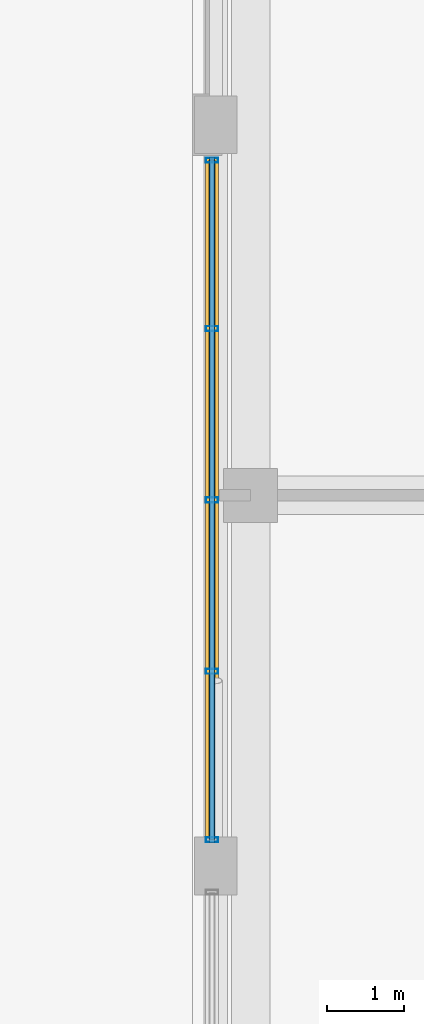
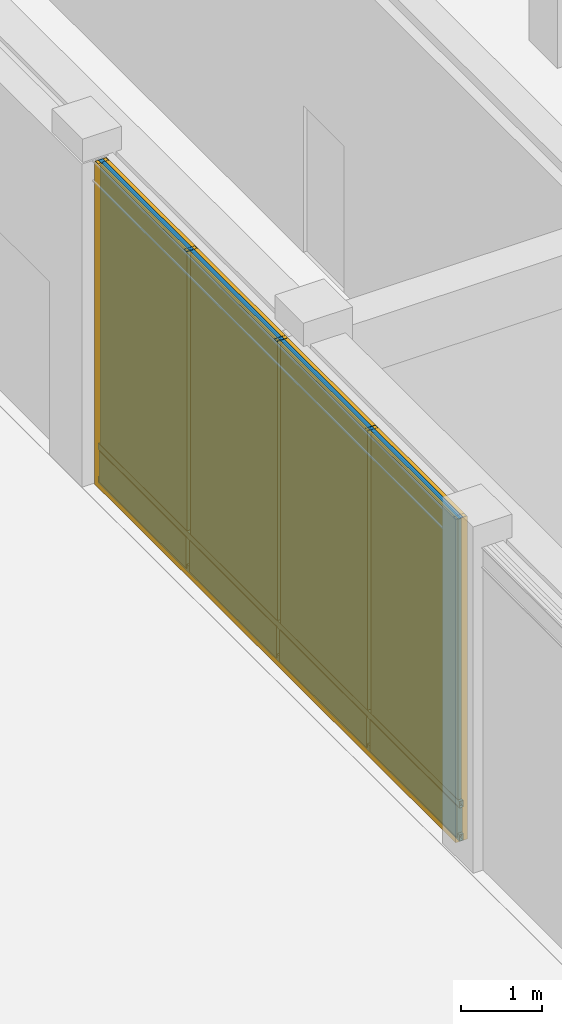
# One storey, part 13 of 24: 8 members, 8 plates, 1 curtain wall.
"""IFC4 building model written with IfcOpenShell, lengths in metres."""

from ifc_helpers import new_model, si_unit, direction, frame, frame_2d, origin, origin_2d, place, context, subcontext, project, spatial, rectangle, hollow_rectangle, extrude, material, layer, layer_set, material_profile, profile_set, type_object, element, aggregate, save


model = new_model("IFC4")

# Units and contexts
model_context = context("Model", 3, precision=1e-05, world=origin(), true_north=direction((0.0, 1.0)))
body_context = subcontext(model_context, "Body", "Model", "MODEL_VIEW")
ifc_project = project(units=[si_unit("LENGTHUNIT", "METRE"), si_unit("AREAUNIT", "SQUARE_METRE"), si_unit("VOLUMEUNIT", "CUBIC_METRE"), si_unit("PLANEANGLEUNIT", "RADIAN"), si_unit("MASSUNIT", "GRAM", prefix="KILO")], contexts=[model_context])

# Member
ifc_material_1 = material(Name="Anodized Aluminium 6063-T6", Category="aluminium")
ifc_material_profile_1 = material_profile(ifc_material_1, hollow_rectangle(XDim=0.06494140625, YDim=0.159912109375, WallThickness=0.00390625, at=origin_2d()), Name="Anodized Aluminium 6063-T6")
ifc_profile_set_1 = profile_set([ifc_material_profile_1], Name="Anodized Aluminium 6063-T6")
member_type_1 = type_object("IfcMemberType", Name="Curtain Wall Mullion 160", PredefinedType="MULLION", material=ifc_profile_set_1)
site_placement = place(None, origin())
building_placement = place(site_placement, origin())
storey_placement = place(building_placement, origin())
member_1_placement = place(storey_placement, frame((85.449951171875, 14.739990234375, 0.0), z_axis=(0.0, 0.0, 1.0), x_axis=(0.0, 1.0, 0.0)))
member_1 = element("IfcMember", 1, at=member_1_placement, type_object=member_type_1, Name="Curtain Wall Mullion CW-L00-LCOL-2-M01", PredefinedType="MULLION", context=body_context, shape_type="SweptSolid", body=[
    extrude(hollow_rectangle(XDim=0.06494140625, YDim=0.159912109375, WallThickness=0.00390625, at=origin_2d()), origin(), (0.0, 0.0, 1.0), 4.85009765625),
])

member_2_placement = place(storey_placement, frame((85.449951171875, 16.919921875, 0.0), z_axis=(0.0, 0.0, 1.0), x_axis=(0.0, 1.0, 0.0)))
member_2 = element("IfcMember", 2, at=member_2_placement, type_object=member_type_1, Name="Curtain Wall Mullion CW-L00-LCOL-2-M02", PredefinedType="MULLION", context=body_context, shape_type="SweptSolid", body=[
    extrude(hollow_rectangle(XDim=0.06494140625, YDim=0.159912109375, WallThickness=0.00390625, at=origin_2d()), origin(), (0.0, 0.0, 1.0), 4.85009765625),
])

member_3_placement = place(storey_placement, frame((85.449951171875, 19.139892578125, 0.0), z_axis=(0.0, 0.0, 1.0), x_axis=(0.0, 1.0, 0.0)))
member_3 = element("IfcMember", 3, at=member_3_placement, type_object=member_type_1, Name="Curtain Wall Mullion CW-L00-LCOL-2-M03", PredefinedType="MULLION", context=body_context, shape_type="SweptSolid", body=[
    extrude(hollow_rectangle(XDim=0.06494140625, YDim=0.159912109375, WallThickness=0.00390625, at=origin_2d()), origin(), (0.0, 0.0, 1.0), 4.85009765625),
])

member_4_placement = place(storey_placement, frame((85.449951171875, 21.360107421875, 0.0), z_axis=(0.0, 0.0, 1.0), x_axis=(0.0, 1.0, 0.0)))
member_4 = element("IfcMember", 4, at=member_4_placement, type_object=member_type_1, Name="Curtain Wall Mullion CW-L00-LCOL-2-M04", PredefinedType="MULLION", context=body_context, shape_type="SweptSolid", body=[
    extrude(hollow_rectangle(XDim=0.06494140625, YDim=0.159912109375, WallThickness=0.00390625, at=origin_2d()), origin(), (0.0, 0.0, 1.0), 4.85009765625),
])

member_5_placement = place(storey_placement, frame((85.449951171875, 23.5400390625, 0.0), z_axis=(0.0, 0.0, 1.0), x_axis=(0.0, 1.0, 0.0)))
member_5 = element("IfcMember", 5, at=member_5_placement, type_object=member_type_1, Name="Curtain Wall Mullion CW-L00-LCOL-2-M05", PredefinedType="MULLION", context=body_context, shape_type="SweptSolid", body=[
    extrude(hollow_rectangle(XDim=0.06494140625, YDim=0.159912109375, WallThickness=0.00390625, at=origin_2d()), origin(), (0.0, 0.0, 1.0), 4.85009765625),
])

ifc_material_profile_2 = material_profile(ifc_material_1, hollow_rectangle(XDim=0.06005859375, YDim=0.10009765625, WallThickness=0.0029296875, at=origin_2d()), Name="Anodized Aluminium 6063-T6")
ifc_profile_set_2 = profile_set([ifc_material_profile_2], Name="Anodized Aluminium 6063-T6")
member_type_2 = type_object("IfcMemberType", Name="Curtain Wall Transom 100", PredefinedType="USERDEFINED", material=ifc_profile_set_2)
member_6_placement = place(storey_placement, frame((85.449951171875, 14.699951171875, 0.050048828125), z_axis=(0.0, 1.0, 0.0), x_axis=(-1.0, 0.0, 0.0)))
member_6 = element("IfcMember", 6, at=member_6_placement, type_object=member_type_2, Name="Curtain Wall Transom CW-L00-LCOL-2-T01", ObjectType="TRANSOM", PredefinedType="USERDEFINED", context=body_context, shape_type="SweptSolid", body=[
    extrude(hollow_rectangle(XDim=0.06005859375, YDim=0.10009765625, WallThickness=0.0029296875, at=origin_2d()), origin(), (0.0, 0.0, 1.0), 8.880126953125),
])

member_7_placement = place(storey_placement, frame((85.449951171875, 14.699951171875, 0.550048828125), z_axis=(0.0, 1.0, 0.0), x_axis=(-1.0, 0.0, 0.0)))
member_7 = element("IfcMember", 7, at=member_7_placement, type_object=member_type_2, Name="Curtain Wall Transom CW-L00-LCOL-2-T02", ObjectType="TRANSOM", PredefinedType="USERDEFINED", context=body_context, shape_type="SweptSolid", body=[
    extrude(hollow_rectangle(XDim=0.06005859375, YDim=0.10009765625, WallThickness=0.0029296875, at=origin_2d()), origin(), (0.0, 0.0, 1.0), 8.880126953125),
])

member_8_placement = place(storey_placement, frame((85.449951171875, 14.699951171875, 4.800048828125), z_axis=(0.0, 1.0, 0.0), x_axis=(-1.0, 0.0, 0.0)))
member_8 = element("IfcMember", 8, at=member_8_placement, type_object=member_type_2, Name="Curtain Wall Transom CW-L00-LCOL-2-T03", ObjectType="TRANSOM", PredefinedType="USERDEFINED", context=body_context, shape_type="SweptSolid", body=[
    extrude(hollow_rectangle(XDim=0.06005859375, YDim=0.10009765625, WallThickness=0.0029296875, at=origin_2d()), origin(), (0.0, 0.0, 1.0), 8.880126953125),
])

# Plate
ifc_material_2 = material(Name="Bird-Friendly Fritted Triple Glazing", Category="glass")
ifc_layer_1 = layer(ifc_material_2, 0.052001953125, Name="Bird-Friendly Fritted Triple Glazing")
ifc_layer_set_1 = layer_set([ifc_layer_1], Name="Bird-Friendly Fritted Triple Glazing")
plate_type_1 = type_object("IfcPlateType", Name="Plate CWGlazing 52", PredefinedType="CURTAIN_PANEL", material=ifc_layer_set_1)
plate_1_placement = place(storey_placement, frame((85.449951171875, 15.81005859375, 0.58984375), z_axis=(0.0, 0.0, 1.0), x_axis=(0.0, 1.0, 0.0)))
plate_1 = element("IfcPlate", 9, at=plate_1_placement, type_object=plate_type_1, Name="Vision Glazing Panel CW-L00-LCOL-2-GL01", PredefinedType="CURTAIN_PANEL", context=body_context, shape_type="SweptSolid", body=[
    extrude(rectangle(XDim=2.139892578125, YDim=0.052001953125, at=origin_2d()), origin(), (0.0, 0.0, 1.0), 4.219970703125),
])

plate_2_placement = place(storey_placement, frame((85.449951171875, 18.030029296875, 0.58984375), z_axis=(0.0, 0.0, 1.0), x_axis=(0.0, 1.0, 0.0)))
plate_2 = element("IfcPlate", 10, at=plate_2_placement, type_object=plate_type_1, Name="Vision Glazing Panel CW-L00-LCOL-2-GL02", PredefinedType="CURTAIN_PANEL", context=body_context, shape_type="SweptSolid", body=[
    extrude(rectangle(XDim=2.139892578125, YDim=0.052001953125, at=origin_2d()), origin(), (0.0, 0.0, 1.0), 4.219970703125),
])

plate_3_placement = place(storey_placement, frame((85.449951171875, 20.25, 0.58984375), z_axis=(0.0, 0.0, 1.0), x_axis=(0.0, 1.0, 0.0)))
plate_3 = element("IfcPlate", 11, at=plate_3_placement, type_object=plate_type_1, Name="Vision Glazing Panel CW-L00-LCOL-2-GL03", PredefinedType="CURTAIN_PANEL", context=body_context, shape_type="SweptSolid", body=[
    extrude(rectangle(XDim=2.139892578125, YDim=0.052001953125, at=origin_2d()), origin(), (0.0, 0.0, 1.0), 4.219970703125),
])

plate_4_placement = place(storey_placement, frame((85.449951171875, 22.469970703125, 0.58984375), z_axis=(0.0, 0.0, 1.0), x_axis=(0.0, 1.0, 0.0)))
plate_4 = element("IfcPlate", 12, at=plate_4_placement, type_object=plate_type_1, Name="Vision Glazing Panel CW-L00-LCOL-2-GL04", PredefinedType="CURTAIN_PANEL", context=body_context, shape_type="SweptSolid", body=[
    extrude(rectangle(XDim=2.139892578125, YDim=0.052001953125, at=origin_2d()), origin(), (0.0, 0.0, 1.0), 4.219970703125),
])

ifc_material_3 = material(Name="Insulated Aluminium Spandrel Panel", Category="aluminium")
ifc_layer_2 = layer(ifc_material_3, 0.080078125, Name="Insulated Aluminium Spandrel Panel")
ifc_layer_set_2 = layer_set([ifc_layer_2], Name="Insulated Aluminium Spandrel Panel")
plate_type_2 = type_object("IfcPlateType", Name="Plate CWSpandrel 80", PredefinedType="SHEET", material=ifc_layer_set_2)
plate_5_placement = place(storey_placement, frame((85.449951171875, 15.81005859375, 0.0400390625), z_axis=(0.0, 0.0, 1.0), x_axis=(0.0, 1.0, 0.0)))
plate_5 = element("IfcPlate", 13, at=plate_5_placement, type_object=plate_type_2, Name="Spandrel Panel CW-L00-LCOL-2-SP01", PredefinedType="SHEET", context=body_context, shape_type="SweptSolid", body=[
    extrude(rectangle(XDim=2.139892578125, YDim=0.080078125, at=origin_2d()), origin(), (0.0, 0.0, 1.0), 0.469970703125),
])

plate_6_placement = place(storey_placement, frame((85.449951171875, 18.030029296875, 0.0400390625), z_axis=(0.0, 0.0, 1.0), x_axis=(0.0, 1.0, 0.0)))
plate_6 = element("IfcPlate", 14, at=plate_6_placement, type_object=plate_type_2, Name="Spandrel Panel CW-L00-LCOL-2-SP02", PredefinedType="SHEET", context=body_context, shape_type="SweptSolid", body=[
    extrude(rectangle(XDim=2.139892578125, YDim=0.080078125, at=origin_2d()), origin(), (0.0, 0.0, 1.0), 0.469970703125),
])

plate_7_placement = place(storey_placement, frame((85.449951171875, 20.25, 0.0400390625), z_axis=(0.0, 0.0, 1.0), x_axis=(0.0, 1.0, 0.0)))
plate_7 = element("IfcPlate", 15, at=plate_7_placement, type_object=plate_type_2, Name="Spandrel Panel CW-L00-LCOL-2-SP03", PredefinedType="SHEET", context=body_context, shape_type="SweptSolid", body=[
    extrude(rectangle(XDim=2.139892578125, YDim=0.080078125, at=origin_2d()), origin(), (0.0, 0.0, 1.0), 0.469970703125),
])

plate_8_placement = place(storey_placement, frame((85.449951171875, 22.469970703125, 0.0400390625), z_axis=(0.0, 0.0, 1.0), x_axis=(0.0, 1.0, 0.0)))
plate_8 = element("IfcPlate", 16, at=plate_8_placement, type_object=plate_type_2, Name="Spandrel Panel CW-L00-LCOL-2-SP04", PredefinedType="SHEET", context=body_context, shape_type="SweptSolid", body=[
    extrude(rectangle(XDim=2.139892578125, YDim=0.080078125, at=origin_2d()), origin(), (0.0, 0.0, 1.0), 0.469970703125),
])

# Site, building, storey
site = spatial("IfcSite", under=ifc_project, at=site_placement, CompositionType="ELEMENT")
building = spatial("IfcBuilding", under=site, at=building_placement, Name="Norrvale University Quadrangle", CompositionType="ELEMENT")
storey = spatial("IfcBuildingStorey", under=building, at=storey_placement, Name="L00", CompositionType="ELEMENT", Elevation=0.0)

# Curtain wall
ifc_material_4 = material(Name="Anodized Aluminium and Triple Glazing", Category="glass")
curtain_wall_type = type_object("IfcCurtainWallType", Name="Curtain Wall System 5 Lib Colonnade", PredefinedType="NOTDEFINED", material=ifc_material_4)
curtain_wall_placement = place(storey_placement, frame((85.449951171875, 14.699951171875, 0.0), z_axis=(0.0, 0.0, 1.0), x_axis=(0.0, 1.0, 0.0)))
curtain_wall = element("IfcCurtainWall", 17, at=curtain_wall_placement, inside=storey, type_object=curtain_wall_type, Name="Curtain Wall CW System 5 Lib Colonnade CW-L00-LCOL-2", PredefinedType="NOTDEFINED", context=body_context, shape_type="SweptSolid", body=[
    extrude(rectangle(XDim=8.880126953125, YDim=0.1650390625, at=frame_2d((4.43994140625, 0.0))), origin(), (0.0, 0.0, 1.0), 4.85009765625),
])

aggregate(curtain_wall, [member_1, member_2, member_3, member_4, member_5, member_6, member_7, member_8, plate_5, plate_1, plate_6, plate_2, plate_7, plate_3, plate_8, plate_4])

save(model, "model.ifc")
